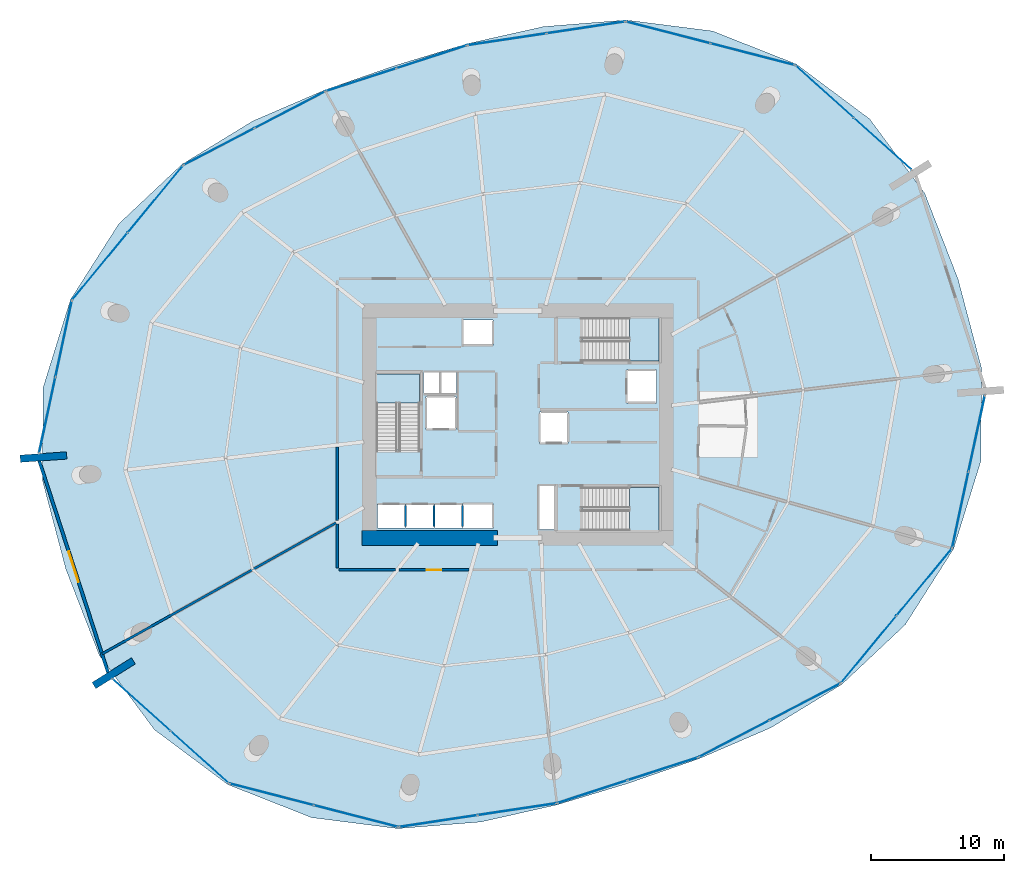
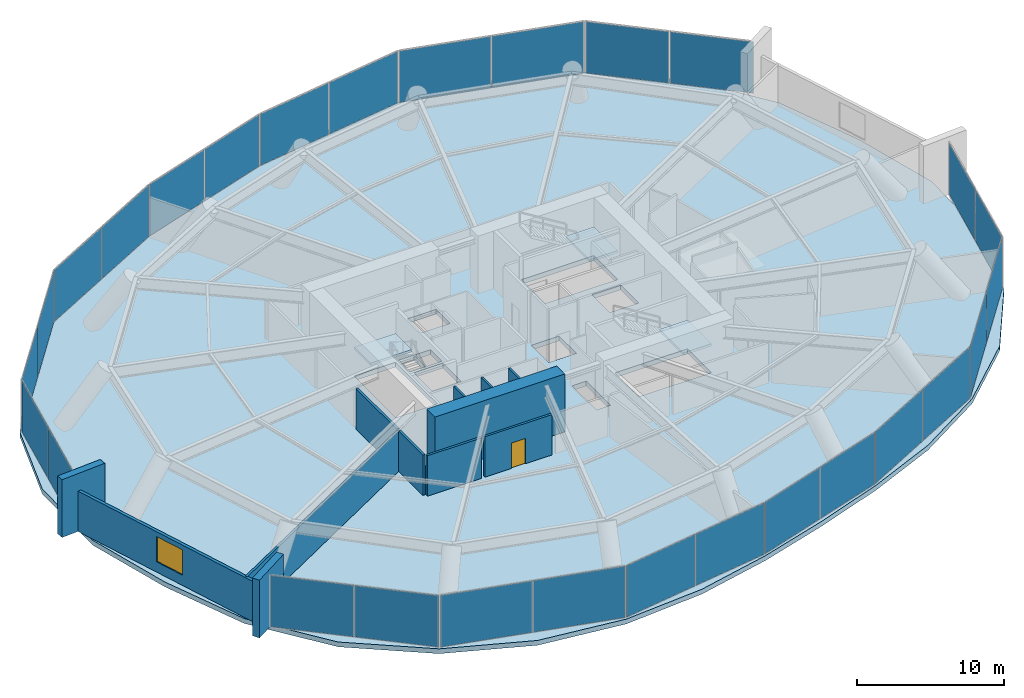
# One storey, part 16 of 21: 28 plates, 12 walls, 4 slabs, 1 door, 1 window, 2 openings, 17 elements without a shape of their own.
"""IFC4 building model written with IfcOpenShell, lengths in metres."""

from ifc_helpers import new_model, si_unit, direction, frame, frame_2d, origin, origin_2d, place, context, subcontext, project, spatial, polyline, rectangle, outline, extrude, material, layer, layer_set, type_object, element, fill, aggregate, save


model = new_model("IFC4")

# Units and contexts
model_context = context("Model", 3, precision=1e-05, world=origin(), true_north=direction((0.0, 1.0)))
body_context = subcontext(model_context, "Body", "Model", "MODEL_VIEW")
ifc_project = project(units=[si_unit("LENGTHUNIT", "METRE"), si_unit("AREAUNIT", "SQUARE_METRE"), si_unit("VOLUMEUNIT", "CUBIC_METRE"), si_unit("PLANEANGLEUNIT", "RADIAN"), si_unit("MASSUNIT", "GRAM", prefix="KILO")], contexts=[model_context])

# Site, building, storey
site_placement = place(None, origin())
site = spatial("IfcSite", under=ifc_project, at=site_placement, CompositionType="ELEMENT")
building_placement = place(site_placement, origin())
building = spatial("IfcBuilding", under=site, at=building_placement, Name="Kazma Halo Residences", CompositionType="ELEMENT")
storey_placement = place(building_placement, frame((0.0, 0.0, 21.60009765625)))
storey = spatial("IfcBuildingStorey", under=building, at=storey_placement, Name="L04", CompositionType="ELEMENT", Elevation=21.60009765625)

# Curtain wall, plates
ifc_material_1 = material(Name="Aluminium AW-6063 T6 and Triple-Silver Low-E Glass", Category="aluminium")
ifc_layer_1 = layer(ifc_material_1, 0.179931640625)
ifc_layer_set_1 = layer_set([ifc_layer_1], Name="Aluminium AW-6063 T6 and Triple-Silver Low-E Glass")
curtain_wall_type = type_object("IfcCurtainWallType", Name="CW-SYS-1", PredefinedType="NOTDEFINED", material=ifc_layer_set_1)
curtain_wall_1_placement = place(storey_placement, origin())
curtain_wall_1 = element("IfcCurtainWall", 1, at=curtain_wall_1_placement, inside=storey, type_object=curtain_wall_type, Name="L04 unitised curtain wall B01", PredefinedType="NOTDEFINED")
ifc_material_2 = material(Name="Clear Triple-Silver Low-E Glass IGU", Category="glass")
ifc_layer_2 = layer(ifc_material_2, 0.031982421875)
ifc_layer_set_2 = layer_set([ifc_layer_2], Name="Clear Triple-Silver Low-E Glass IGU")
plate_type = type_object("IfcPlateType", Name="CW-SYS-1-PNL", PredefinedType="CURTAIN_PANEL", material=ifc_layer_set_2)
plate_1_placement = place(storey_placement, frame((75.8740234375, 63.110107421875, 0.06494140625), z_axis=(0.0, 0.0, 1.0), x_axis=(-0.744297770784, 0.667847908139, 0.0)))
plate_1 = element("IfcPlate", 2, at=plate_1_placement, type_object=plate_type, Name="CWS-1 panel 1.1", PredefinedType="CURTAIN_PANEL", context=body_context, shape_type="SweptSolid", body=[
    extrude(rectangle(XDim=5.8056640625, YDim=0.031982421875, at=origin_2d()), origin(), (0.0, 0.0, 1.0), 4.27001953125),
])
plate_2_placement = place(storey_placement, frame((71.50439453125, 67.031005859375, 0.06494140625), z_axis=(0.0, 0.0, 1.0), x_axis=(-0.744297770784, 0.667847908139, 0.0)))
plate_2 = element("IfcPlate", 3, at=plate_2_placement, type_object=plate_type, Name="CWS-1 panel 2.1", PredefinedType="CURTAIN_PANEL", context=body_context, shape_type="SweptSolid", body=[
    extrude(rectangle(XDim=5.8056640625, YDim=0.031982421875, at=origin_2d()), origin(), (0.0, 0.0, 1.0), 4.27001953125),
])
aggregate(curtain_wall_1, [plate_1, plate_2])

curtain_wall_2_placement = place(storey_placement, origin())
curtain_wall_2 = element("IfcCurtainWall", 4, at=curtain_wall_2_placement, inside=storey, type_object=curtain_wall_type, Name="L04 unitised curtain wall B02", PredefinedType="NOTDEFINED")
plate_3_placement = place(storey_placement, frame((66.09228515625, 69.839111328125, 0.06494140625), z_axis=(0.0, 0.0, 1.0), x_axis=(-0.96831625699, 0.249727103953, 0.0)))
plate_3 = element("IfcPlate", 5, at=plate_3_placement, type_object=plate_type, Name="CWS-1 panel 1.1", PredefinedType="CURTAIN_PANEL", context=body_context, shape_type="SweptSolid", body=[
    extrude(rectangle(XDim=6.48583984375, YDim=0.031982421875, at=origin_2d()), origin(), (0.0, 0.0, 1.0), 4.27001953125),
])
plate_4_placement = place(storey_placement, frame((59.7490234375, 71.47509765625, 0.06494140625), z_axis=(0.0, 0.0, 1.0), x_axis=(-0.96831625699, 0.249727103953, 0.0)))
plate_4 = element("IfcPlate", 6, at=plate_4_placement, type_object=plate_type, Name="CWS-1 panel 2.1", PredefinedType="CURTAIN_PANEL", context=body_context, shape_type="SweptSolid", body=[
    extrude(rectangle(XDim=6.48583984375, YDim=0.031982421875, at=origin_2d()), origin(), (0.0, 0.0, 1.0), 4.27001953125),
])
aggregate(curtain_wall_2, [plate_3, plate_4])

curtain_wall_3_placement = place(storey_placement, origin())
curtain_wall_3 = element("IfcCurtainWall", 7, at=curtain_wall_3_placement, inside=storey, type_object=curtain_wall_type, Name="L04 unitised curtain wall B03", PredefinedType="NOTDEFINED")
plate_5_placement = place(storey_placement, frame((53.549560546875, 71.85107421875, 0.06494140625), z_axis=(0.0, 0.0, 1.0), x_axis=(-0.988905053379, -0.148548966342, 0.0)))
plate_5 = element("IfcPlate", 8, at=plate_5_placement, type_object=plate_type, Name="CWS-1 panel 1.1", PredefinedType="CURTAIN_PANEL", context=body_context, shape_type="SweptSolid", body=[
    extrude(rectangle(XDim=5.929443359375, YDim=0.031982421875, at=origin_2d()), origin(), (0.0, 0.0, 1.0), 4.27001953125),
])
plate_6_placement = place(storey_placement, frame((47.621826171875, 70.96044921875, 0.06494140625), z_axis=(0.0, 0.0, 1.0), x_axis=(-0.988905053379, -0.148548966342, 0.0)))
plate_6 = element("IfcPlate", 9, at=plate_6_placement, type_object=plate_type, Name="CWS-1 panel 2.1", PredefinedType="CURTAIN_PANEL", context=body_context, shape_type="SweptSolid", body=[
    extrude(rectangle(XDim=5.929443359375, YDim=0.031982421875, at=origin_2d()), origin(), (0.0, 0.0, 1.0), 4.27001953125),
])
aggregate(curtain_wall_3, [plate_5, plate_6])

curtain_wall_4_placement = place(storey_placement, origin())
curtain_wall_4 = element("IfcCurtainWall", 10, at=curtain_wall_4_placement, inside=storey, type_object=curtain_wall_type, Name="L04 unitised curtain wall B04", PredefinedType="NOTDEFINED")
plate_7_placement = place(storey_placement, frame((41.94677734375, 69.64013671875, 0.06494140625), z_axis=(0.0, 0.0, 1.0), x_axis=(-0.951056436743, -0.309017239211, 0.0)))
plate_7 = element("IfcPlate", 11, at=plate_7_placement, type_object=plate_type, Name="CWS-1 panel 1.1", PredefinedType="CURTAIN_PANEL", context=body_context, shape_type="SweptSolid", body=[
    extrude(rectangle(XDim=5.50341796875, YDim=0.031982421875, at=origin_2d()), origin(), (0.0, 0.0, 1.0), 4.27001953125),
])
plate_8_placement = place(storey_placement, frame((36.65087890625, 67.91943359375, 0.06494140625), z_axis=(0.0, 0.0, 1.0), x_axis=(-0.951056436743, -0.309017239211, 0.0)))
plate_8 = element("IfcPlate", 12, at=plate_8_placement, type_object=plate_type, Name="CWS-1 panel 2.1", PredefinedType="CURTAIN_PANEL", context=body_context, shape_type="SweptSolid", body=[
    extrude(rectangle(XDim=5.50341796875, YDim=0.031982421875, at=origin_2d()), origin(), (0.0, 0.0, 1.0), 4.27001953125),
])
aggregate(curtain_wall_4, [plate_7, plate_8])

curtain_wall_5_placement = place(storey_placement, origin())
curtain_wall_5 = element("IfcCurtainWall", 13, at=curtain_wall_5_placement, inside=storey, type_object=curtain_wall_type, Name="L04 unitised curtain wall B05", PredefinedType="NOTDEFINED")
plate_9_placement = place(storey_placement, frame((31.283447265625, 65.65185546875, 0.06494140625), z_axis=(0.0, 0.0, 1.0), x_axis=(-0.887355036047, -0.46108680311, 0.0)))
plate_9 = element("IfcPlate", 14, at=plate_9_placement, type_object=plate_type, Name="CWS-1 panel 1.1", PredefinedType="CURTAIN_PANEL", context=body_context, shape_type="SweptSolid", body=[
    extrude(rectangle(XDim=5.929443359375, YDim=0.031982421875, at=origin_2d()), origin(), (0.0, 0.0, 1.0), 4.27001953125),
])
plate_10_placement = place(storey_placement, frame((25.96435546875, 62.887939453125, 0.06494140625), z_axis=(0.0, 0.0, 1.0), x_axis=(-0.887355036047, -0.46108680311, 0.0)))
plate_10 = element("IfcPlate", 15, at=plate_10_placement, type_object=plate_type, Name="CWS-1 panel 2.1", PredefinedType="CURTAIN_PANEL", context=body_context, shape_type="SweptSolid", body=[
    extrude(rectangle(XDim=5.929443359375, YDim=0.031982421875, at=origin_2d()), origin(), (0.0, 0.0, 1.0), 4.27001953125),
])
aggregate(curtain_wall_5, [plate_9, plate_10])

curtain_wall_6_placement = place(storey_placement, origin())
curtain_wall_6 = element("IfcCurtainWall", 16, at=curtain_wall_6_placement, inside=storey, type_object=curtain_wall_type, Name="L04 unitised curtain wall B06", PredefinedType="NOTDEFINED")
plate_11_placement = place(storey_placement, frame((21.169921875, 58.93994140625, 0.06494140625), z_axis=(0.0, 0.0, 1.0), x_axis=(-0.636602895194, -0.771191775002, 0.0)))
plate_11 = element("IfcPlate", 17, at=plate_11_placement, type_object=plate_type, Name="CWS-1 panel 1.1", PredefinedType="CURTAIN_PANEL", context=body_context, shape_type="SweptSolid", body=[
    extrude(rectangle(XDim=6.48583984375, YDim=0.031982421875, at=origin_2d()), origin(), (0.0, 0.0, 1.0), 4.27001953125),
])
plate_12_placement = place(storey_placement, frame((16.999755859375, 53.887939453125, 0.06494140625), z_axis=(0.0, 0.0, 1.0), x_axis=(-0.636602895194, -0.771191775002, 0.0)))
plate_12 = element("IfcPlate", 18, at=plate_12_placement, type_object=plate_type, Name="CWS-1 panel 2.1", PredefinedType="CURTAIN_PANEL", context=body_context, shape_type="SweptSolid", body=[
    extrude(rectangle(XDim=6.48583984375, YDim=0.031982421875, at=origin_2d()), origin(), (0.0, 0.0, 1.0), 4.27001953125),
])
aggregate(curtain_wall_6, [plate_11, plate_12])

curtain_wall_7_placement = place(storey_placement, origin())
curtain_wall_7 = element("IfcCurtainWall", 19, at=curtain_wall_7_placement, inside=storey, type_object=curtain_wall_type, Name="L04 unitised curtain wall B07", PredefinedType="NOTDEFINED")
plate_13_placement = place(storey_placement, frame((14.271728515625, 48.434814453125, 0.06494140625), z_axis=(0.0, 0.0, 1.0), x_axis=(-0.209595607771, -0.977788157631, 0.0)))
plate_13 = element("IfcPlate", 20, at=plate_13_placement, type_object=plate_type, Name="CWS-1 panel 1.1", PredefinedType="CURTAIN_PANEL", context=body_context, shape_type="SweptSolid", body=[
    extrude(rectangle(XDim=5.8056640625, YDim=0.031982421875, at=origin_2d()), origin(), (0.0, 0.0, 1.0), 4.27001953125),
])
plate_14_placement = place(storey_placement, frame((13.041259765625, 42.694580078125, 0.06494140625), z_axis=(0.0, 0.0, 1.0), x_axis=(-0.209595607771, -0.977788157631, 0.0)))
plate_14 = element("IfcPlate", 21, at=plate_14_placement, type_object=plate_type, Name="CWS-1 panel 2.1", PredefinedType="CURTAIN_PANEL", context=body_context, shape_type="SweptSolid", body=[
    extrude(rectangle(XDim=5.8056640625, YDim=0.031982421875, at=origin_2d()), origin(), (0.0, 0.0, 1.0), 4.27001953125),
])
aggregate(curtain_wall_7, [plate_13, plate_14])

curtain_wall_8_placement = place(storey_placement, origin())
curtain_wall_8 = element("IfcCurtainWall", 22, at=curtain_wall_8_placement, inside=storey, type_object=curtain_wall_type, Name="L04 unitised curtain wall B09", PredefinedType="NOTDEFINED")
plate_15_placement = place(storey_placement, frame((20.1259765625, 20.889892578125, 0.06494140625), z_axis=(0.0, 0.0, 1.0), x_axis=(0.744297770784, -0.667847908139, 0.0)))
plate_15 = element("IfcPlate", 23, at=plate_15_placement, type_object=plate_type, Name="CWS-1 panel 1.1", PredefinedType="CURTAIN_PANEL", context=body_context, shape_type="SweptSolid", body=[
    extrude(rectangle(XDim=5.8056640625, YDim=0.031982421875, at=origin_2d()), origin(), (0.0, 0.0, 1.0), 4.27001953125),
])
plate_16_placement = place(storey_placement, frame((24.49560546875, 16.968994140625, 0.06494140625), z_axis=(0.0, 0.0, 1.0), x_axis=(0.744297770784, -0.667847908139, 0.0)))
plate_16 = element("IfcPlate", 24, at=plate_16_placement, type_object=plate_type, Name="CWS-1 panel 2.1", PredefinedType="CURTAIN_PANEL", context=body_context, shape_type="SweptSolid", body=[
    extrude(rectangle(XDim=5.8056640625, YDim=0.031982421875, at=origin_2d()), origin(), (0.0, 0.0, 1.0), 4.27001953125),
])
aggregate(curtain_wall_8, [plate_15, plate_16])

curtain_wall_9_placement = place(storey_placement, origin())
curtain_wall_9 = element("IfcCurtainWall", 25, at=curtain_wall_9_placement, inside=storey, type_object=curtain_wall_type, Name="L04 unitised curtain wall B10", PredefinedType="NOTDEFINED")
plate_17_placement = place(storey_placement, frame((29.90771484375, 14.160888671875, 0.06494140625), z_axis=(0.0, 0.0, 1.0), x_axis=(0.96831625699, -0.249727103953, 0.0)))
plate_17 = element("IfcPlate", 26, at=plate_17_placement, type_object=plate_type, Name="CWS-1 panel 1.1", PredefinedType="CURTAIN_PANEL", context=body_context, shape_type="SweptSolid", body=[
    extrude(rectangle(XDim=6.48583984375, YDim=0.031982421875, at=origin_2d()), origin(), (0.0, 0.0, 1.0), 4.27001953125),
])
plate_18_placement = place(storey_placement, frame((36.2509765625, 12.52490234375, 0.06494140625), z_axis=(0.0, 0.0, 1.0), x_axis=(0.96831625699, -0.249727103953, 0.0)))
plate_18 = element("IfcPlate", 27, at=plate_18_placement, type_object=plate_type, Name="CWS-1 panel 2.1", PredefinedType="CURTAIN_PANEL", context=body_context, shape_type="SweptSolid", body=[
    extrude(rectangle(XDim=6.48583984375, YDim=0.031982421875, at=origin_2d()), origin(), (0.0, 0.0, 1.0), 4.27001953125),
])
aggregate(curtain_wall_9, [plate_17, plate_18])

curtain_wall_10_placement = place(storey_placement, origin())
curtain_wall_10 = element("IfcCurtainWall", 28, at=curtain_wall_10_placement, inside=storey, type_object=curtain_wall_type, Name="L04 unitised curtain wall B11", PredefinedType="NOTDEFINED")
plate_19_placement = place(storey_placement, frame((42.450439453125, 12.14892578125, 0.06494140625), z_axis=(0.0, 0.0, 1.0), x_axis=(0.988905053379, 0.148548966342, 0.0)))
plate_19 = element("IfcPlate", 29, at=plate_19_placement, type_object=plate_type, Name="CWS-1 panel 1.1", PredefinedType="CURTAIN_PANEL", context=body_context, shape_type="SweptSolid", body=[
    extrude(rectangle(XDim=5.929443359375, YDim=0.031982421875, at=origin_2d()), origin(), (0.0, 0.0, 1.0), 4.27001953125),
])
plate_20_placement = place(storey_placement, frame((48.378173828125, 13.03955078125, 0.06494140625), z_axis=(0.0, 0.0, 1.0), x_axis=(0.988905053379, 0.148548966342, 0.0)))
plate_20 = element("IfcPlate", 30, at=plate_20_placement, type_object=plate_type, Name="CWS-1 panel 2.1", PredefinedType="CURTAIN_PANEL", context=body_context, shape_type="SweptSolid", body=[
    extrude(rectangle(XDim=5.929443359375, YDim=0.031982421875, at=origin_2d()), origin(), (0.0, 0.0, 1.0), 4.27001953125),
])
aggregate(curtain_wall_10, [plate_19, plate_20])

curtain_wall_11_placement = place(storey_placement, origin())
curtain_wall_11 = element("IfcCurtainWall", 31, at=curtain_wall_11_placement, inside=storey, type_object=curtain_wall_type, Name="L04 unitised curtain wall B12", PredefinedType="NOTDEFINED")
plate_21_placement = place(storey_placement, frame((54.05322265625, 14.35986328125, 0.06494140625), z_axis=(0.0, 0.0, 1.0), x_axis=(0.951056436743, 0.309017239211, 0.0)))
plate_21 = element("IfcPlate", 32, at=plate_21_placement, type_object=plate_type, Name="CWS-1 panel 1.1", PredefinedType="CURTAIN_PANEL", context=body_context, shape_type="SweptSolid", body=[
    extrude(rectangle(XDim=5.50341796875, YDim=0.031982421875, at=origin_2d()), origin(), (0.0, 0.0, 1.0), 4.27001953125),
])
plate_22_placement = place(storey_placement, frame((59.34912109375, 16.08056640625, 0.06494140625), z_axis=(0.0, 0.0, 1.0), x_axis=(0.951056436743, 0.309017239211, 0.0)))
plate_22 = element("IfcPlate", 33, at=plate_22_placement, type_object=plate_type, Name="CWS-1 panel 2.1", PredefinedType="CURTAIN_PANEL", context=body_context, shape_type="SweptSolid", body=[
    extrude(rectangle(XDim=5.50341796875, YDim=0.031982421875, at=origin_2d()), origin(), (0.0, 0.0, 1.0), 4.27001953125),
])
aggregate(curtain_wall_11, [plate_21, plate_22])

curtain_wall_12_placement = place(storey_placement, origin())
curtain_wall_12 = element("IfcCurtainWall", 34, at=curtain_wall_12_placement, inside=storey, type_object=curtain_wall_type, Name="L04 unitised curtain wall B13", PredefinedType="NOTDEFINED")
plate_23_placement = place(storey_placement, frame((64.716552734375, 18.34814453125, 0.06494140625), z_axis=(0.0, 0.0, 1.0), x_axis=(0.887355036047, 0.46108680311, 0.0)))
plate_23 = element("IfcPlate", 35, at=plate_23_placement, type_object=plate_type, Name="CWS-1 panel 1.1", PredefinedType="CURTAIN_PANEL", context=body_context, shape_type="SweptSolid", body=[
    extrude(rectangle(XDim=5.929443359375, YDim=0.031982421875, at=origin_2d()), origin(), (0.0, 0.0, 1.0), 4.27001953125),
])
plate_24_placement = place(storey_placement, frame((70.03564453125, 21.112060546875, 0.06494140625), z_axis=(0.0, 0.0, 1.0), x_axis=(0.887355036047, 0.46108680311, 0.0)))
plate_24 = element("IfcPlate", 36, at=plate_24_placement, type_object=plate_type, Name="CWS-1 panel 2.1", PredefinedType="CURTAIN_PANEL", context=body_context, shape_type="SweptSolid", body=[
    extrude(rectangle(XDim=5.929443359375, YDim=0.031982421875, at=origin_2d()), origin(), (0.0, 0.0, 1.0), 4.27001953125),
])
aggregate(curtain_wall_12, [plate_23, plate_24])

curtain_wall_13_placement = place(storey_placement, origin())
curtain_wall_13 = element("IfcCurtainWall", 37, at=curtain_wall_13_placement, inside=storey, type_object=curtain_wall_type, Name="L04 unitised curtain wall B14", PredefinedType="NOTDEFINED")
plate_25_placement = place(storey_placement, frame((74.830078125, 25.06005859375, 0.06494140625), z_axis=(0.0, 0.0, 1.0), x_axis=(0.636602895194, 0.771191775002, 0.0)))
plate_25 = element("IfcPlate", 38, at=plate_25_placement, type_object=plate_type, Name="CWS-1 panel 1.1", PredefinedType="CURTAIN_PANEL", context=body_context, shape_type="SweptSolid", body=[
    extrude(rectangle(XDim=6.48583984375, YDim=0.031982421875, at=origin_2d()), origin(), (0.0, 0.0, 1.0), 4.27001953125),
])
plate_26_placement = place(storey_placement, frame((79.000244140625, 30.112060546875, 0.06494140625), z_axis=(0.0, 0.0, 1.0), x_axis=(0.636602895194, 0.771191775002, 0.0)))
plate_26 = element("IfcPlate", 39, at=plate_26_placement, type_object=plate_type, Name="CWS-1 panel 2.1", PredefinedType="CURTAIN_PANEL", context=body_context, shape_type="SweptSolid", body=[
    extrude(rectangle(XDim=6.48583984375, YDim=0.031982421875, at=origin_2d()), origin(), (0.0, 0.0, 1.0), 4.27001953125),
])
aggregate(curtain_wall_13, [plate_25, plate_26])

curtain_wall_14_placement = place(storey_placement, origin())
curtain_wall_14 = element("IfcCurtainWall", 40, at=curtain_wall_14_placement, inside=storey, type_object=curtain_wall_type, Name="L04 unitised curtain wall B15", PredefinedType="NOTDEFINED")
plate_27_placement = place(storey_placement, frame((81.728271484375, 35.565185546875, 0.06494140625), z_axis=(0.0, 0.0, 1.0), x_axis=(0.209595607771, 0.977788157631, 0.0)))
plate_27 = element("IfcPlate", 41, at=plate_27_placement, type_object=plate_type, Name="CWS-1 panel 1.1", PredefinedType="CURTAIN_PANEL", context=body_context, shape_type="SweptSolid", body=[
    extrude(rectangle(XDim=5.8056640625, YDim=0.031982421875, at=origin_2d()), origin(), (0.0, 0.0, 1.0), 4.27001953125),
])
plate_28_placement = place(storey_placement, frame((82.958740234375, 41.305419921875, 0.06494140625), z_axis=(0.0, 0.0, 1.0), x_axis=(0.209595607771, 0.977788157631, 0.0)))
plate_28 = element("IfcPlate", 42, at=plate_28_placement, type_object=plate_type, Name="CWS-1 panel 2.1", PredefinedType="CURTAIN_PANEL", context=body_context, shape_type="SweptSolid", body=[
    extrude(rectangle(XDim=5.8056640625, YDim=0.031982421875, at=origin_2d()), origin(), (0.0, 0.0, 1.0), 4.27001953125),
])
aggregate(curtain_wall_14, [plate_27, plate_28])

# Stair, slab
ifc_material_3 = material(Name="Concrete C50/60", Category="concrete")
stair_type = type_object("IfcStairType", Name="STR-POD", PredefinedType="HALF_TURN_STAIR", material=ifc_material_3)
stair_1_placement = place(storey_placement, origin())
stair_1 = element("IfcStair", 43, at=stair_1_placement, inside=storey, type_object=stair_type, Name="L04 Core exit stair ST-01", PredefinedType="HALF_TURN_STAIR")
ifc_layer_3 = layer(ifc_material_3, 0.199951171875)
ifc_layer_set_3 = layer_set([ifc_layer_3], Name="Concrete C50/60")
slab_type_1 = type_object("IfcSlabType", Name="SLB-STAIR-LND-200", PredefinedType="LANDING", material=ifc_layer_set_3)
slab_1_placement = place(storey_placement, frame((0.0, 0.0, 2.199951171875)))
slab_1 = element("IfcSlab", 44, at=slab_1_placement, type_object=slab_type_1, Name="ST-01 landing 1", PredefinedType="LANDING", context=body_context, shape_type="SweptSolid", body=[
    extrude(outline(polyline([(41.050048828125, 43.590087890625), (41.050048828125, 45.800048828125), (37.800048828125, 45.800048828125), (37.800048828125, 43.590087890625), (41.050048828125, 43.590087890625)])), origin(), (0.0, 0.0, 1.0), 0.199951171875),
])
aggregate(stair_1, [slab_1])

stair_2_placement = place(storey_placement, origin())
stair_2 = element("IfcStair", 45, at=stair_2_placement, inside=storey, type_object=stair_type, Name="L04 Core exit stair ST-02", PredefinedType="HALF_TURN_STAIR")
slab_2_placement = place(storey_placement, frame((0.0, 0.0, 2.199951171875)))
slab_2 = element("IfcSlab", 46, at=slab_2_placement, type_object=slab_type_1, Name="ST-02 landing 1", PredefinedType="LANDING", context=body_context, shape_type="SweptSolid", body=[
    extrude(outline(polyline([(56.840087890625, 46.75), (59.050048828125, 46.75), (59.050048828125, 50.0), (56.840087890625, 50.0), (56.840087890625, 46.75)])), origin(), (0.0, 0.0, 1.0), 0.199951171875),
])
aggregate(stair_2, [slab_2])

stair_3_placement = place(storey_placement, origin())
stair_3 = element("IfcStair", 47, at=stair_3_placement, inside=storey, type_object=stair_type, Name="L04 Core exit stair ST-03", PredefinedType="HALF_TURN_STAIR")
slab_3_placement = place(storey_placement, frame((0.0, 0.0, 2.199951171875)))
slab_3 = element("IfcSlab", 48, at=slab_3_placement, type_object=slab_type_1, Name="ST-03 landing 1", PredefinedType="LANDING", context=body_context, shape_type="SweptSolid", body=[
    extrude(outline(polyline([(56.840087890625, 34.0), (59.050048828125, 34.0), (59.050048828125, 37.25), (56.840087890625, 37.25), (56.840087890625, 34.0)])), origin(), (0.0, 0.0, 1.0), 0.199951171875),
])
aggregate(stair_3, [slab_3])

# Slab
ifc_material_4 = material(Name="Concrete C60/75", Category="concrete")
ifc_layer_4 = layer(ifc_material_4, 0.39990234375)
ifc_layer_set_4 = layer_set([ifc_layer_4], Name="Concrete C60/75")
slab_type_2 = type_object("IfcSlabType", Name="SLB-TRANS-400", PredefinedType="FLOOR", material=ifc_layer_set_4)
slab_4_placement = place(storey_placement, frame((0.0, 0.0, -0.400146484375)))
element("IfcSlab", 49, at=slab_4_placement, inside=storey, type_object=slab_type_2, Name="L04 structural floor slab", PredefinedType="FLOOR", context=body_context, shape_type="SweptSolid", body=[
    extrude(outline(polyline([(81.56396484375, 52.905517578125), (79.04638671875, 59.38671875), (74.903564453125, 64.977783203125), (69.36962890625, 69.107177734375), (63.076171875, 71.58837890625), (56.578369140625, 72.41650390625), (50.354736328125, 71.918701171875), (44.611572265625, 70.629638671875), (39.226318359375, 69.00244140625), (33.913330078125, 67.153564453125), (28.50927734375, 64.82080078125), (23.181396484375, 61.565185546875), (18.41162109375, 57.076171875), (14.7783203125, 51.369384765625), (12.728515625, 44.77587890625), (12.663330078125, 37.817626953125), (14.43603515625, 31.094482421875), (16.95361328125, 24.61328125), (21.096435546875, 19.022216796875), (26.63037109375, 14.892822265625), (32.923828125, 12.41162109375), (39.421630859375, 11.58349609375), (45.645263671875, 12.081298828125), (51.388427734375, 13.370361328125), (56.773681640625, 14.99755859375), (62.086669921875, 16.846435546875), (67.49072265625, 19.17919921875), (72.818603515625, 22.434814453125), (77.58837890625, 26.923828125), (81.2216796875, 32.630615234375), (83.271484375, 39.22412109375), (83.336669921875, 46.182373046875), (81.56396484375, 52.905517578125)]), holes=[polyline([(37.800048828125, 40.110107421875), (41.050048828125, 40.110107421875), (41.050048828125, 45.800048828125), (37.800048828125, 45.800048828125), (37.800048828125, 40.110107421875)]), polyline([(53.360107421875, 46.75), (59.050048828125, 46.75), (59.050048828125, 50.0), (53.360107421875, 50.0), (53.360107421875, 46.75)]), polyline([(53.360107421875, 34.0), (59.050048828125, 34.0), (59.050048828125, 37.25), (53.360107421875, 37.25), (53.360107421875, 34.0)]), polyline([(41.52001953125, 41.6201171875), (43.780029296875, 41.6201171875), (43.780029296875, 44.080078125), (41.52001953125, 44.080078125), (41.52001953125, 41.6201171875)]), polyline([(56.6201171875, 43.6201171875), (58.8798828125, 43.6201171875), (58.8798828125, 46.080078125), (56.6201171875, 46.080078125), (56.6201171875, 43.6201171875)]), polyline([(37.864990234375, 34.195068359375), (39.97509765625, 34.195068359375), (39.97509765625, 36.0048828125), (37.864990234375, 36.0048828125), (37.864990234375, 34.195068359375)]), polyline([(40.014892578125, 34.195068359375), (42.125, 34.195068359375), (42.125, 36.0048828125), (40.014892578125, 36.0048828125), (40.014892578125, 34.195068359375)]), polyline([(42.1650390625, 34.195068359375), (44.27490234375, 34.195068359375), (44.27490234375, 36.0048828125), (42.1650390625, 36.0048828125), (42.1650390625, 34.195068359375)]), polyline([(44.320068359375, 47.945068359375), (46.580078125, 47.945068359375), (46.580078125, 49.85498046875), (44.320068359375, 49.85498046875), (44.320068359375, 47.945068359375)]), polyline([(44.320068359375, 34.14501953125), (46.580078125, 34.14501953125), (46.580078125, 36.054931640625), (44.320068359375, 36.054931640625), (44.320068359375, 34.14501953125)]), polyline([(50.070068359375, 40.570068359375), (52.22998046875, 40.570068359375), (52.22998046875, 42.929931640625), (50.070068359375, 42.929931640625), (50.070068359375, 40.570068359375)]), polyline([(41.360107421875, 44.340087890625), (42.5400390625, 44.340087890625), (42.5400390625, 45.89990234375), (41.360107421875, 45.89990234375), (41.360107421875, 44.340087890625)]), polyline([(42.659912109375, 44.340087890625), (43.840087890625, 44.340087890625), (43.840087890625, 45.89990234375), (42.659912109375, 45.89990234375), (42.659912109375, 44.340087890625)]), polyline([(50.06005859375, 34.080078125), (51.159912109375, 34.080078125), (51.159912109375, 37.3798828125), (50.06005859375, 37.3798828125), (50.06005859375, 34.080078125)])]), origin(), (0.0, 0.0, 1.0), 0.400146484375),
])

# Walls
ifc_material_5 = material(Name="Pale Concrete C60/75", Category="concrete")
ifc_layer_5 = layer(ifc_material_5, 0.550048828125)
ifc_layer_set_5 = layer_set([ifc_layer_5], Name="Pale Concrete C60/75")
wall_type_1 = type_object("IfcWallType", Name="WL-BLADE-550", PredefinedType="SOLIDWALL", material=ifc_layer_set_5)
for number, where, z_axis, x_axis, name in (
    (50, (14.497314453125, 39.6572265625, 0.0), (0.0, 0.0, 1.0), (-0.997564163539, -0.069754853754, 0.0), "L04 pale concrete structural blade fin wall BW-02"),
    (51, (19.518798828125, 24.202880859375, 0.0), (0.0, 0.0, 1.0), (-0.848053161125, -0.529911158502, 0.0), "L04 pale concrete structural blade fin wall BW-03"),
):
    element("IfcWall", number, at=place(storey_placement, frame(where, z_axis=z_axis, x_axis=x_axis)), inside=storey, type_object=wall_type_1, Name=name, PredefinedType="SOLIDWALL", context=body_context, shape_type="SweptSolid", body=[
        extrude(rectangle(XDim=3.5, YDim=0.550048828125, at=frame_2d((1.75, 0.0))), origin(), (0.0, 0.0, 1.0), 4.7998046875),
    ])
ifc_material_6 = material(Name="Concrete C80/95", Category="concrete")
ifc_layer_6 = layer(ifc_material_6, 1.10009765625)
ifc_layer_set_6 = layer_set([ifc_layer_6], Name="Concrete C80/95")
wall_type_2 = type_object("IfcWallType", Name="WL-CORE-1100", PredefinedType="SHEAR", material=ifc_layer_set_6)
wall_1_placement = place(storey_placement, frame((36.699951171875, 33.449951171875, 0.0), z_axis=(0.0, 0.0, 1.0), x_axis=(1.0, 0.0, 0.0)))
element("IfcWall", 52, at=wall_1_placement, inside=storey, type_object=wall_type_2, Name="L04 central core shear wall SW", PredefinedType="SHEAR", context=body_context, shape_type="SweptSolid", body=[
    extrude(rectangle(XDim=10.199951171875, YDim=1.10009765625, at=frame_2d((5.10009765625, 0.0))), origin(), (0.0, 0.0, 1.0), 4.7998046875),
])
ifc_material_7 = material(Name="Acoustic Twin-Stud Gypsum")
ifc_layer_7 = layer(ifc_material_7, 0.179931640625)
ifc_layer_set_7 = layer_set([ifc_layer_7], Name="Acoustic Twin-Stud Gypsum")
wall_type_3 = type_object("IfcWallType", Name="WL-DEM-180", PredefinedType="PARTITIONING", material=ifc_layer_set_7)
wall_2_placement = place(storey_placement, frame((34.85009765625, 40.3037109375, 0.0), z_axis=(0.0, 0.0, 1.0), x_axis=(0.0, -1.0, 0.0)))
element("IfcWall", 53, at=wall_2_placement, inside=storey, type_object=wall_type_3, Name="L04 Executive Co-Working Office corridor wall", PredefinedType="PARTITIONING", context=body_context, shape_type="SweptSolid", body=[
    extrude(rectangle(XDim=5.528076171875, YDim=0.179931640625, at=frame_2d((2.76416015625, 0.0))), origin(), (0.0, 0.0, 1.0), 3.35693359375),
])
wall_3_placement = place(storey_placement, frame((34.75390625, 34.581787109375, 0.0), z_axis=(0.0, 0.0, 1.0), x_axis=(-0.872493211438, -0.488626233429, 0.0)))
element("IfcWall", 54, at=wall_3_placement, inside=storey, type_object=wall_type_3, Name="L04 radial partition wall 08", PredefinedType="PARTITIONING", context=body_context, shape_type="SweptSolid", body=[
    extrude(rectangle(XDim=20.15869140625, YDim=0.179931640625, at=frame_2d((10.079345703125, 0.0))), origin(), (0.0, 0.0, 1.0), 3.35693359375),
])
wall_4_placement = place(storey_placement, frame((34.85009765625, 34.49560546875, 0.0), z_axis=(0.0, 0.0, 1.0), x_axis=(0.0, -1.0, 0.0)))
element("IfcWall", 55, at=wall_4_placement, inside=storey, type_object=wall_type_3, Name="L04 Executive Meeting Office corridor wall", PredefinedType="PARTITIONING", context=body_context, shape_type="SweptSolid", body=[
    extrude(rectangle(XDim=3.3056640625, YDim=0.179931640625, at=frame_2d((1.65283203125, 0.0))), origin(), (0.0, 0.0, 1.0), 3.35693359375),
])
wall_5_placement = place(storey_placement, frame((34.989990234375, 31.050048828125, 0.0), z_axis=(0.0, 0.0, 1.0), x_axis=(1.0, 0.0, 0.0)))
element("IfcWall", 56, at=wall_5_placement, inside=storey, type_object=wall_type_3, Name="L04 Executive Meeting Office corridor wall", PredefinedType="PARTITIONING", context=body_context, shape_type="SweptSolid", body=[
    extrude(rectangle(XDim=4.23779296875, YDim=0.179931640625, at=frame_2d((2.118896484375, 0.0))), origin(), (0.0, 0.0, 1.0), 3.35693359375),
])

# Wall, opening, door
wall_6_placement = place(storey_placement, frame((39.5078125, 31.050048828125, 0.0), z_axis=(0.0, 0.0, 1.0), x_axis=(1.0, 0.0, 0.0)))
wall_6 = element("IfcWall", 57, at=wall_6_placement, inside=storey, type_object=wall_type_3, Name="L04 Executive Meeting Office corridor wall", PredefinedType="PARTITIONING", context=body_context, shape_type="SweptSolid", body=[
    extrude(rectangle(XDim=5.263916015625, YDim=0.179931640625, at=frame_2d((2.6318359375, 0.0))), origin(), (0.0, 0.0, 1.0), 3.35693359375),
])
opening_1_placement = place(wall_6_placement, frame((2.08203125, 0.0, 0.0)))
opening_1 = element("IfcOpeningElement", 58, at=opening_1_placement, cuts=wall_6, Name="Opening DA-1100", PredefinedType="OPENING", context=body_context, shape_type="SweptSolid", body=[
    extrude(rectangle(XDim=1.10009765625, YDim=2.10009765625, at=frame_2d((0.550048828125, 1.050048828125))), frame((0.0, 0.099853515625, 0.0), z_axis=(0.0, -1.0, 0.0), x_axis=(1.0, 0.0, 0.0)), (0.0, 0.0, 1.0), 0.199951171875),
])
ifc_material_8 = material(Name="Acoustic Walnut Fire Leaf")
door_type = type_object("IfcDoorType", Name="DR-FD60-1100", OperationType="NOTDEFINED", PredefinedType="DOOR", material=ifc_material_8)
door_placement = place(opening_1_placement, origin())
door = element("IfcDoor", 59, at=door_placement, inside=storey, type_object=door_type, Name="L04 Executive Meeting Office entrance door", OperationType="SINGLE_SWING_RIGHT", OverallHeight=2.10009765625, OverallWidth=1.10009765625, PredefinedType="DOOR", context=body_context, shape_type="SweptSolid", body=[
    extrude(rectangle(XDim=1.10009765625, YDim=2.10009765625, at=frame_2d((0.550048828125, 1.050048828125))), frame((0.0, 0.02490234375, 0.0), z_axis=(0.0, -1.0, 0.0), x_axis=(1.0, 0.0, 0.0)), (0.0, 0.0, 1.0), 0.050048828125),
])
fill(opening_1, door)

# Wall, opening, window
ifc_material_9 = material(Name="Insulated Pale-Metal Composite Wall")
ifc_layer_8 = layer(ifc_material_9, 0.239990234375)
ifc_layer_set_8 = layer_set([ifc_layer_8], Name="Insulated Pale-Metal Composite Wall")
wall_type_4 = type_object("IfcWallType", Name="WL-EXT-HOST-240", PredefinedType="SOLIDWALL", material=ifc_layer_set_8)
wall_7_placement = place(storey_placement, frame((12.42724609375, 39.275390625, 0.0), z_axis=(0.0, 0.0, 1.0), x_axis=(0.309022005354, -0.951054888115, 0.0)))
wall_7 = element("IfcWall", 60, at=wall_7_placement, inside=storey, type_object=wall_type_4, Name="L04 podium end wall B08", PredefinedType="SOLIDWALL", context=body_context, shape_type="SweptSolid", body=[
    extrude(rectangle(XDim=16.802734375, YDim=0.239990234375, at=frame_2d((8.4013671875, 0.0))), origin(), (0.0, 0.0, 1.0), 3.349853515625),
])
opening_2_placement = place(wall_7_placement, frame((7.201171875, 0.0, 0.85009765625)))
opening_2 = element("IfcOpeningElement", 61, at=opening_2_placement, cuts=wall_7, Name="Opening W-2400", PredefinedType="OPENING", context=body_context, shape_type="SweptSolid", body=[
    extrude(rectangle(XDim=2.39990234375, YDim=2.10009765625, at=frame_2d((1.199951171875, 1.050048828125))), frame((0.0, 0.1298828125, 0.0), z_axis=(0.0, -1.0, 0.0), x_axis=(1.0, 0.0, 0.0)), (0.0, 0.0, 1.0), 0.260009765625),
])
ifc_material_10 = material(Name="Clear Triple-Silver Low-E Glass in Aluminium AW-6063 T6 Frame", Category="aluminium")
window_type = type_object("IfcWindowType", Name="WIN-POD-2400", PartitioningType="DOUBLE_PANEL_VERTICAL", PredefinedType="WINDOW", material=ifc_material_10)
window_placement = place(opening_2_placement, origin())
window = element("IfcWindow", 62, at=window_placement, inside=storey, type_object=window_type, Name="L04 podium vision window B08", OverallHeight=2.10009765625, OverallWidth=2.39990234375, PartitioningType="SINGLE_PANEL", PredefinedType="WINDOW", context=body_context, shape_type="SweptSolid", body=[
    extrude(rectangle(XDim=2.39990234375, YDim=2.10009765625, at=frame_2d((1.199951171875, 1.050048828125))), frame((0.0, 0.030029296875, 0.0), z_axis=(0.0, -1.0, 0.0), x_axis=(1.0, 0.0, 0.0)), (0.0, 0.0, 1.0), 0.06005859375),
])
fill(opening_2, window)

# Walls
ifc_material_11 = material(Name="Fire-Rated Blockwork Masonry", Category="masonry")
ifc_layer_9 = layer(ifc_material_11, 0.199951171875)
ifc_layer_set_9 = layer_set([ifc_layer_9], Name="Fire-Rated Blockwork Masonry")
wall_type_5 = type_object("IfcWallType", Name="WL-FLB-200", PredefinedType="PARTITIONING", material=ifc_layer_set_9)
for number, where, z_axis, x_axis, name in (
    (63, (39.97509765625, 34.294921875, 0.0), (0.0, 0.0, 1.0), (0.0, 1.0, 0.0), "L04 lift shaft PL-01 side wall E"),
    (64, (42.125, 34.294921875, 0.0), (0.0, 0.0, 1.0), (0.0, 1.0, 0.0), "L04 lift shaft PL-02 side wall E"),
    (65, (44.27490234375, 34.294921875, 0.0), (0.0, 0.0, 1.0), (0.0, 1.0, 0.0), "L04 lift shaft PL-03 side wall E"),
):
    element("IfcWall", number, at=place(storey_placement, frame(where, z_axis=z_axis, x_axis=x_axis)), inside=storey, type_object=wall_type_5, Name=name, PredefinedType="PARTITIONING", context=body_context, shape_type="SweptSolid", body=[
        extrude(rectangle(XDim=1.610107421875, YDim=0.159912109375, at=frame_2d((0.80517578125, 0.0))), origin(), (0.0, 0.0, 1.0), 4.39990234375),
    ])

save(model, "model.ifc")
